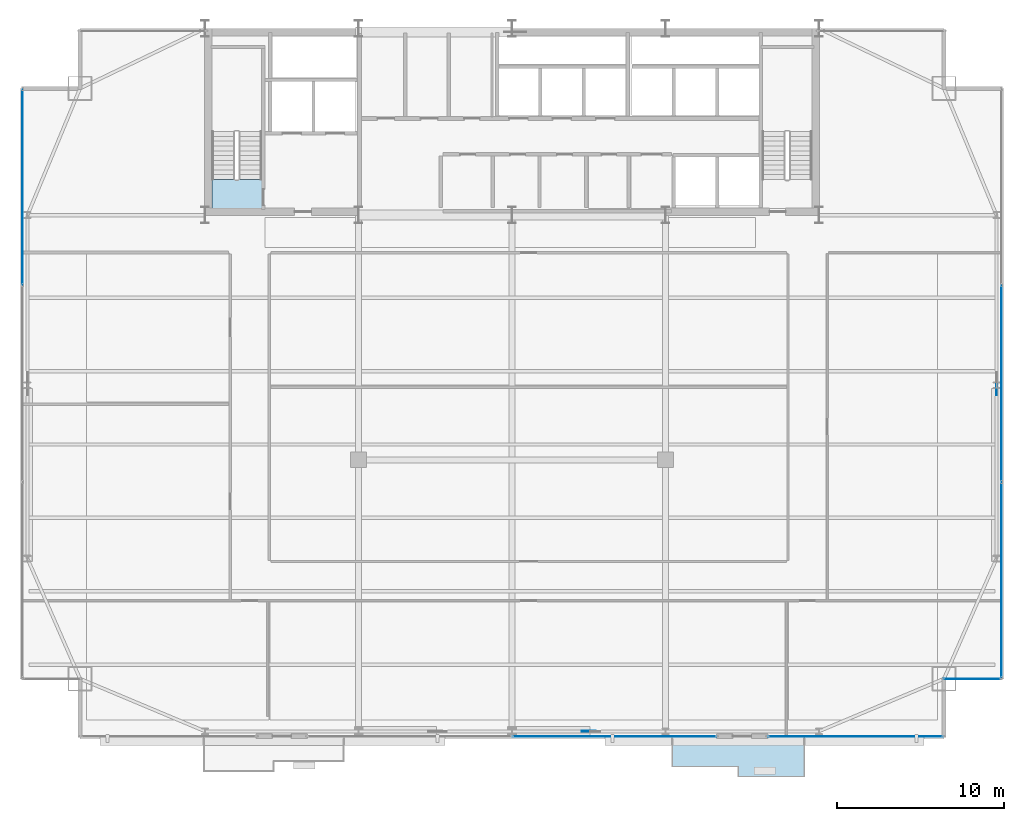
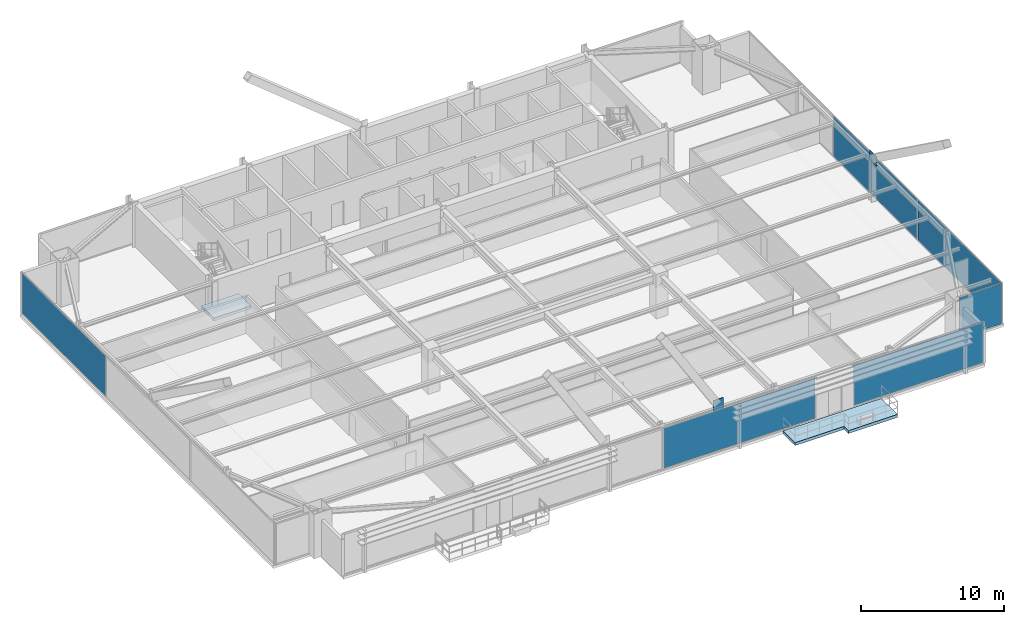
# One storey, part 29 of 37: 8 plates, 2 slabs, 5 elements without a shape of their own.
"""IFC4 building model written with IfcOpenShell, lengths in metres."""

from ifc_helpers import new_model, si_unit, direction, frame, origin, origin_2d, place, context, subcontext, project, spatial, polyline, rectangle, outline, extrude, source, transform, mapped, material, layer, layer_set, type_object, type_shapes, element, aggregate, save


model = new_model("IFC4")

# Units and contexts
model_context = context("Model", 3, precision=1e-05, world=origin(), true_north=direction((0.0, 1.0)))
body_context = subcontext(model_context, "Body", "Model", "MODEL_VIEW")
ifc_project = project(units=[si_unit("LENGTHUNIT", "METRE"), si_unit("AREAUNIT", "SQUARE_METRE"), si_unit("VOLUMEUNIT", "CUBIC_METRE"), si_unit("PLANEANGLEUNIT", "RADIAN"), si_unit("MASSUNIT", "GRAM", prefix="KILO")], contexts=[model_context])

# Site, building, storey
site_placement = place(None, origin())
site = spatial("IfcSite", under=ifc_project, at=site_placement, CompositionType="ELEMENT")
building_placement = place(site_placement, origin())
building = spatial("IfcBuilding", under=site, at=building_placement, Name="Varnel Quay Broadcast Tower", CompositionType="ELEMENT")
storey_placement = place(building_placement, frame((0.0, 0.0, 106.800048828125)))
storey = spatial("IfcBuildingStorey", under=building, at=storey_placement, Name="L25", CompositionType="ELEMENT", Elevation=106.800048828125)

# Slabs
ifc_material_1 = material(Name="Concrete CSA A23.3 C40/50", Category="concrete")
ifc_layer_1 = layer(ifc_material_1, 0.25, Name="Concrete CSA A23.3 C40/50")
ifc_layer_set_1 = layer_set([ifc_layer_1], Name="Concrete CSA A23.3 C40/50")
slab_type_1 = type_object("IfcSlabType", Name="Slab_ExtTerrace250", PredefinedType="FLOOR", material=ifc_layer_set_1)
slab_1_placement = place(storey_placement, frame((0.0, 0.0, -0.25)))
element("IfcSlab", 1, at=slab_1_placement, inside=storey, type_object=slab_type_1, Name="L25 Planted Lobe Terrace Slab 2", PredefinedType="FLOOR", context=body_context, shape_type="SweptSolid", body=[
    extrude(outline(polyline([(43.60009765625, 2.5390625), (47.56005859375, 2.5390625), (47.56005859375, 1.93896484375), (51.52001953125, 1.93896484375), (51.52001953125, 4.199951171875), (43.60009765625, 4.199951171875), (43.60009765625, 2.5390625)])), origin(), (0.0, 0.0, 1.0), 0.25),
])
ifc_material_2 = material(Name="Concrete CSA A23.3 C50/60", Category="concrete")
ifc_layer_2 = layer(ifc_material_2, 0.25, Name="Concrete CSA A23.3 C50/60")
ifc_layer_set_2 = layer_set([ifc_layer_2], Name="Concrete CSA A23.3 C50/60")
slab_type_2 = type_object("IfcSlabType", Name="Slab_StairFloorLanding250", PredefinedType="FLOOR", material=ifc_layer_set_2)
slab_2_placement = place(storey_placement, frame((0.0, 0.0, -0.25)))
element("IfcSlab", 2, at=slab_2_placement, inside=storey, type_object=slab_type_2, Name="L25 ST-01 Structural Floor Landing Slab", PredefinedType="FLOOR", context=body_context, shape_type="SweptSolid", body=[
    extrude(outline(polyline([(19.0, 36.0), (19.0, 37.75), (16.0, 37.75), (16.0, 36.0), (19.0, 36.0)])), origin(), (0.0, 0.0, 1.0), 0.25),
])

# Plates
ifc_material_3 = material(Name="Structural Steel CSA G40.21 350WT", Category="steel")
ifc_layer_3 = layer(ifc_material_3, 0.0400390625, Name="Structural Steel CSA G40.21 350WT")
ifc_layer_set_3 = layer_set([ifc_layer_3], Name="Structural Steel CSA G40.21 350WT")
plate_type_1 = type_object("IfcPlateType", Name="Plate_MegaGusset", PredefinedType="USERDEFINED", material=ifc_layer_set_3)
shared_shape_1 = source(origin(), body_context, "Body", "SweptSolid", [
    extrude(rectangle(XDim=0.819091796875, YDim=0.0400390625, at=origin_2d()), origin(), (0.0, 0.0, 1.0), 1.053955078125),
])
plate_1_placement = place(storey_placement, frame((38.60009765625, 4.64990234375, 3.14794921875), z_axis=(0.0, 0.0, 1.0), x_axis=(1.0, 0.0, 0.0)))
element("IfcPlate", 3, at=plate_1_placement, inside=storey, type_object=plate_type_1, Name="Zone 2 Mega-Brace S-C2T2 Central X-Crossing Gusset Plate", ObjectType="GUSSET_PLATE", PredefinedType="USERDEFINED", context=body_context, shape_type="MappedRepresentation", body=[
    mapped(shared_shape_1, transform((0.0, 0.0, 0.0), x_axis=(1.0, 0.0, 0.0), y_axis=(0.0, 1.0, 0.0), z_axis=(0.0, 0.0, 1.0), scale=1.0)),
])
shared_shape_2 = source(origin(), body_context, "Body", "SweptSolid", [
    extrude(rectangle(XDim=0.991943359375, YDim=0.0400390625, at=origin_2d()), origin(), (0.0, 0.0, 1.0), 0.840087890625),
])
type_shapes(plate_type_1, [shared_shape_1, shared_shape_2])
plate_2_placement = place(storey_placement, frame((63.050048828125, 25.300048828125, 3.2548828125), z_axis=(0.0, 0.0, 1.0), x_axis=(0.0, 1.0, 0.0)))
element("IfcPlate", 4, at=plate_2_placement, inside=storey, type_object=plate_type_1, Name="Zone 2 Mega-Brace E-FT2 Central X-Crossing Gusset Plate", ObjectType="GUSSET_PLATE", PredefinedType="USERDEFINED", context=body_context, shape_type="MappedRepresentation", body=[
    mapped(shared_shape_2, transform((0.0, 0.0, 0.0), x_axis=(1.0, 0.0, 0.0), y_axis=(0.0, 1.0, 0.0), z_axis=(0.0, 0.0, 1.0), scale=1.0)),
])

# Curtain wall, plate
ifc_material_4 = material(Name="Anodised Bronze Aluminium 6063-T6", Category="aluminium")
ifc_layer_4 = layer(ifc_material_4, 0.18994140625, Name="Anodised Bronze Aluminium 6063-T6")
ifc_layer_set_4 = layer_set([ifc_layer_4], Name="Anodised Bronze Aluminium 6063-T6")
curtain_wall_type_1 = type_object("IfcCurtainWallType", Name="CW_LowerTower", PredefinedType="NOTDEFINED", material=ifc_layer_set_4)
curtain_wall_1_placement = place(storey_placement, origin())
curtain_wall_1 = element("IfcCurtainWall", 5, at=curtain_wall_1_placement, inside=storey, type_object=curtain_wall_type_1, Name="L25 East Unitised Curtain Wall", PredefinedType="NOTDEFINED")
ifc_material_5 = material(Name="Insulated Bronze Spandrel Glass", Category="glass")
ifc_layer_5 = layer(ifc_material_5, 0.031982421875, Name="Insulated Bronze Spandrel Glass")
ifc_layer_set_5 = layer_set([ifc_layer_5], Name="Insulated Bronze Spandrel Glass")
plate_type_2 = type_object("IfcPlateType", Name="PanelSp_CWS-02", PredefinedType="CURTAIN_PANEL", material=ifc_layer_set_5)
shared_shape_3 = source(origin(), body_context, "Body", "SweptSolid", [
    extrude(rectangle(XDim=11.72998046875, YDim=0.031982421875, at=origin_2d()), origin(), (0.0, 0.0, 1.0), 3.429931640625),
])
plate_3_placement = place(storey_placement, frame((63.35009765625, 25.5, 0.06005859375), z_axis=(0.0, 0.0, 1.0), x_axis=(0.0, 1.0, 0.0)))
plate_3 = element("IfcPlate", 6, at=plate_3_placement, type_object=plate_type_2, Name="CWS-02 panel 2.1", PredefinedType="CURTAIN_PANEL", context=body_context, shape_type="MappedRepresentation", body=[
    mapped(shared_shape_3, transform((0.0, 0.0, 0.0), x_axis=(1.0, 0.0, 0.0), y_axis=(0.0, 1.0, 0.0), z_axis=(0.0, 0.0, 1.0), scale=1.0)),
])

ifc_layer_6 = layer(ifc_material_4, 0.18994140625, Name="Anodised Bronze Aluminium 6063-T6")
ifc_layer_set_6 = layer_set([ifc_layer_6], Name="Anodised Bronze Aluminium 6063-T6")
curtain_wall_type_2 = type_object("IfcCurtainWallType", Name="CW_NotchCorner", PredefinedType="NOTDEFINED", material=ifc_layer_set_6)
curtain_wall_2_placement = place(storey_placement, origin())
curtain_wall_2 = element("IfcCurtainWall", 7, at=curtain_wall_2_placement, inside=storey, type_object=curtain_wall_type_2, Name="L25 SE Notch Curtain Wall", PredefinedType="NOTDEFINED")
ifc_material_6 = material(Name="Triple-Glazed Bronze Low-E Architectural Glass", Category="glass")
ifc_layer_7 = layer(ifc_material_6, 0.028076171875, Name="Triple-Glazed Bronze Low-E Architectural Glass")
ifc_layer_set_7 = layer_set([ifc_layer_7], Name="Triple-Glazed Bronze Low-E Architectural Glass")
plate_type_3 = type_object("IfcPlateType", Name="Panel_CWS-04", PredefinedType="CURTAIN_PANEL", material=ifc_layer_set_7)
shared_shape_4 = source(origin(), body_context, "Body", "SweptSolid", [
    extrude(rectangle(XDim=3.409912109375, YDim=0.028076171875, at=origin_2d()), origin(), (0.0, 0.0, 1.0), 3.43994140625),
])
type_shapes(plate_type_3, [shared_shape_4])
plate_4_placement = place(storey_placement, frame((61.5849609375, 7.800048828125, 0.054931640625), z_axis=(0.0, 0.0, 1.0), x_axis=(1.0, 0.0, 0.0)))
plate_4 = element("IfcPlate", 8, at=plate_4_placement, type_object=plate_type_3, Name="CWS-04 panel 1.1", PredefinedType="CURTAIN_PANEL", context=body_context, shape_type="MappedRepresentation", body=[
    mapped(shared_shape_4, transform((0.0, 0.0, 0.0), x_axis=(1.0, 0.0, 0.0), y_axis=(0.0, 1.0, 0.0), z_axis=(0.0, 0.0, 1.0), scale=1.0)),
])
aggregate(curtain_wall_2, [plate_4])

curtain_wall_3_placement = place(storey_placement, origin())
curtain_wall_3 = element("IfcCurtainWall", 9, at=curtain_wall_3_placement, inside=storey, type_object=curtain_wall_type_1, Name="L25 South Unitised Curtain Wall 3", PredefinedType="NOTDEFINED")
ifc_layer_8 = layer(ifc_material_6, 0.031982421875, Name="Triple-Glazed Bronze Low-E Architectural Glass")
ifc_layer_set_8 = layer_set([ifc_layer_8], Name="Triple-Glazed Bronze Low-E Architectural Glass")
plate_type_4 = type_object("IfcPlateType", Name="Panel_CWS-02", PredefinedType="CURTAIN_PANEL", material=ifc_layer_set_8)
shared_shape_5 = source(origin(), body_context, "Body", "SweptSolid", [
    extrude(rectangle(XDim=10.47998046875, YDim=0.031982421875, at=origin_2d()), origin(), (0.0, 0.0, 1.0), 3.429931640625),
])
plate_5_placement = place(storey_placement, frame((54.590087890625, 4.35009765625, 0.06005859375), z_axis=(0.0, 0.0, 1.0), x_axis=(1.0, 0.0, 0.0)))
plate_5 = element("IfcPlate", 10, at=plate_5_placement, type_object=plate_type_4, Name="CWS-02 panel 1.1", PredefinedType="CURTAIN_PANEL", context=body_context, shape_type="MappedRepresentation", body=[
    mapped(shared_shape_5, transform((0.0, 0.0, 0.0), x_axis=(1.0, 0.0, 0.0), y_axis=(0.0, 1.0, 0.0), z_axis=(0.0, 0.0, 1.0), scale=1.0)),
])
aggregate(curtain_wall_3, [plate_5])

curtain_wall_4_placement = place(storey_placement, origin())
curtain_wall_4 = element("IfcCurtainWall", 11, at=curtain_wall_4_placement, inside=storey, type_object=curtain_wall_type_1, Name="L25 South Unitised Curtain Wall 2", PredefinedType="NOTDEFINED")
shared_shape_6 = source(origin(), body_context, "Body", "SweptSolid", [
    extrude(rectangle(XDim=12.215087890625, YDim=0.031982421875, at=origin_2d()), origin(), (0.0, 0.0, 1.0), 3.429931640625),
])
type_shapes(plate_type_2, [shared_shape_3, shared_shape_6])
plate_6_placement = place(storey_placement, frame((40.142578125, 4.35009765625, 0.06005859375), z_axis=(0.0, 0.0, 1.0), x_axis=(1.0, 0.0, 0.0)))
plate_6 = element("IfcPlate", 12, at=plate_6_placement, type_object=plate_type_2, Name="CWS-02 panel 2.1", PredefinedType="CURTAIN_PANEL", context=body_context, shape_type="MappedRepresentation", body=[
    mapped(shared_shape_6, transform((0.0, 0.0, 0.0), x_axis=(1.0, 0.0, 0.0), y_axis=(0.0, 1.0, 0.0), z_axis=(0.0, 0.0, 1.0), scale=1.0)),
])
aggregate(curtain_wall_4, [plate_6])

curtain_wall_5_placement = place(storey_placement, origin())
curtain_wall_5 = element("IfcCurtainWall", 13, at=curtain_wall_5_placement, inside=storey, type_object=curtain_wall_type_1, Name="L25 West Unitised Curtain Wall", PredefinedType="NOTDEFINED")
shared_shape_7 = source(origin(), body_context, "Body", "SweptSolid", [
    extrude(rectangle(XDim=11.695068359375, YDim=0.031982421875, at=origin_2d()), origin(), (0.0, 0.0, 1.0), 3.429931640625),
])
type_shapes(plate_type_4, [shared_shape_5, shared_shape_7])
plate_7_placement = place(storey_placement, frame((4.64990234375, 37.282470703125, 0.06005859375), z_axis=(0.0, 0.0, 1.0), x_axis=(0.0, 1.0, 0.0)))
plate_7 = element("IfcPlate", 14, at=plate_7_placement, type_object=plate_type_4, Name="CWS-02 panel 3.1", PredefinedType="CURTAIN_PANEL", context=body_context, shape_type="MappedRepresentation", body=[
    mapped(shared_shape_7, transform((0.0, 0.0, 0.0), x_axis=(1.0, 0.0, 0.0), y_axis=(0.0, 1.0, 0.0), z_axis=(0.0, 0.0, 1.0), scale=1.0)),
])
aggregate(curtain_wall_5, [plate_7])

# Plate
plate_8_placement = place(storey_placement, frame((63.35009765625, 13.717529296875, 0.06005859375), z_axis=(0.0, 0.0, 1.0), x_axis=(0.0, 1.0, 0.0)))
plate_8 = element("IfcPlate", 15, at=plate_8_placement, type_object=plate_type_4, Name="CWS-02 panel 1.1", PredefinedType="CURTAIN_PANEL", context=body_context, shape_type="MappedRepresentation", body=[
    mapped(shared_shape_7, transform((0.0, 0.0, 0.0), x_axis=(1.0, 0.0, 0.0), y_axis=(0.0, 1.0, 0.0), z_axis=(0.0, 0.0, 1.0), scale=1.0)),
])

aggregate(curtain_wall_1, [plate_8, plate_3])

save(model, "model.ifc")
